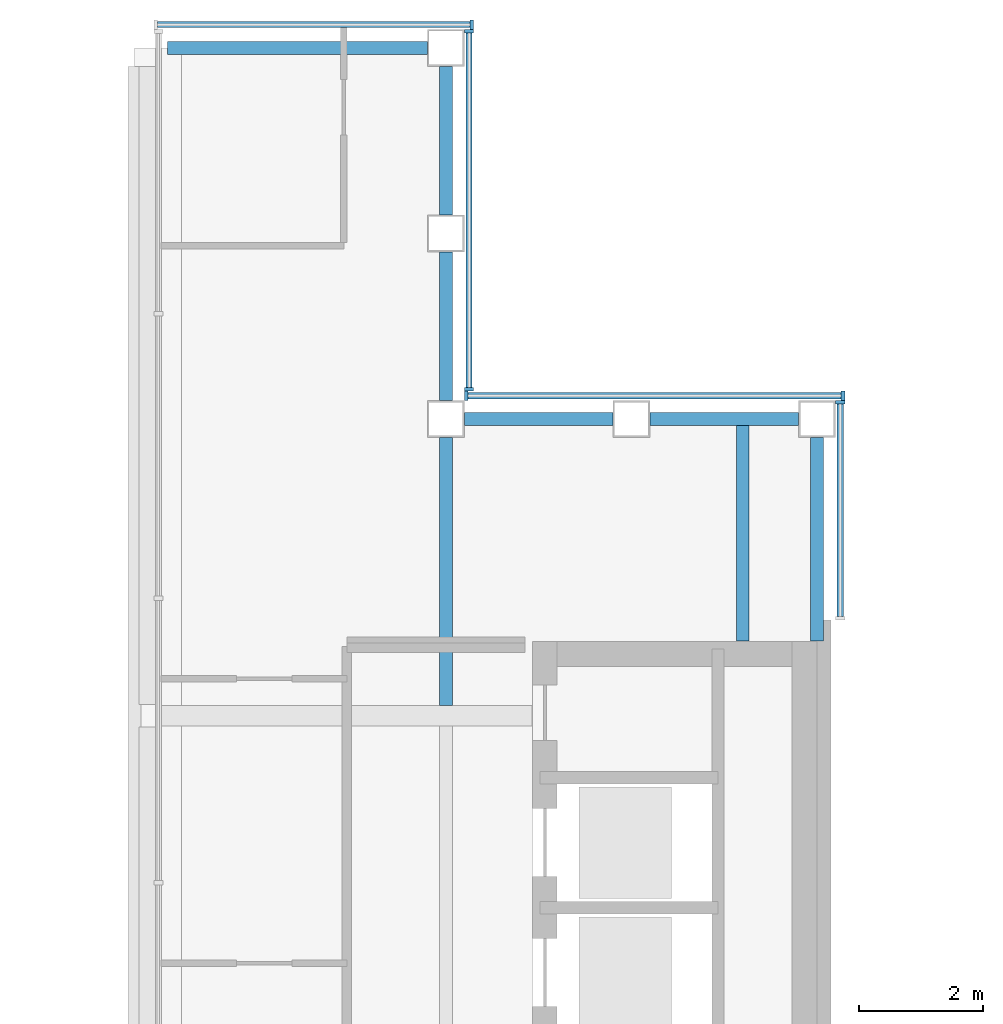
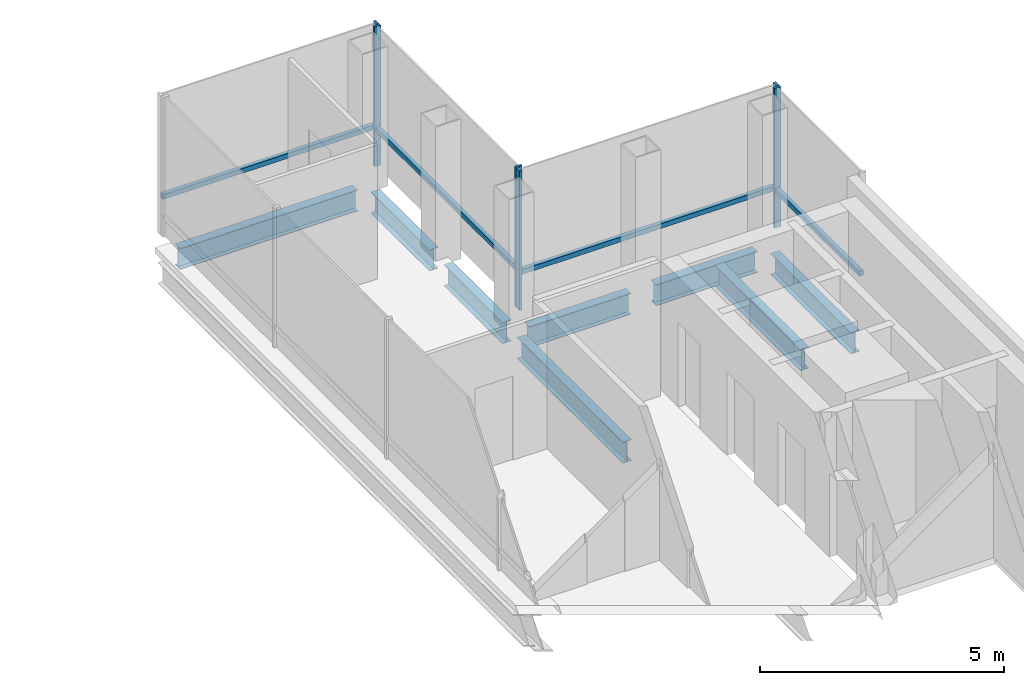
# One storey, part 14 of 21: 10 members, 8 beams, 4 elements without a shape of their own.
"""IFC4 building model written with IfcOpenShell, lengths in metres."""

from ifc_helpers import new_model, si_unit, direction, frame, origin, origin_2d, place, context, subcontext, project, spatial, rectangle, i_section, extrude, material, material_profile, profile_set, type_object, element, aggregate, save


model = new_model("IFC4")

# Units and contexts
model_context = context("Model", 3, precision=1e-05, world=origin(), true_north=direction((0.0, 1.0)))
body_context = subcontext(model_context, "Body", "Model", "MODEL_VIEW")
ifc_project = project(units=[si_unit("LENGTHUNIT", "METRE"), si_unit("AREAUNIT", "SQUARE_METRE"), si_unit("VOLUMEUNIT", "CUBIC_METRE"), si_unit("PLANEANGLEUNIT", "RADIAN"), si_unit("MASSUNIT", "GRAM", prefix="KILO")], contexts=[model_context])

# Site, building, storey
site_placement = place(None, origin())
site = spatial("IfcSite", under=ifc_project, at=site_placement, CompositionType="ELEMENT")
building_placement = place(site_placement, origin())
building = spatial("IfcBuilding", under=site, at=building_placement, Name="Cobrizo Arcos Hotel Tower", CompositionType="ELEMENT")
storey_placement = place(building_placement, frame((0.0, 0.0, 279.5)))
storey = spatial("IfcBuildingStorey", under=building, at=storey_placement, Name="L74", CompositionType="ELEMENT", Elevation=279.5)

# Curtain wall, member
ifc_material_1 = material(Name="Aluminium 6063-T6 anodised bronze", Category="aluminium")
curtain_wall_type = type_object("IfcCurtainWallType", Name="CW-A guest facade", PredefinedType="NOTDEFINED", material=ifc_material_1)
curtain_wall_1_placement = place(storey_placement, origin())
curtain_wall_1 = element("IfcCurtainWall", 1, at=curtain_wall_1_placement, inside=storey, type_object=curtain_wall_type, Name="CW-A L74 N face", PredefinedType="NOTDEFINED")
ifc_material_profile_1 = material_profile(ifc_material_1, rectangle(XDim=0.14990234375, YDim=0.06005859375, at=origin_2d()), Name="CW-A mullion 150x60")
ifc_profile_set_1 = profile_set([ifc_material_profile_1], Name="Aluminium 6063-T6 anodised bronze")
member_type_1 = type_object("IfcMemberType", Name="CW-A mullion 150x60", PredefinedType="MULLION", material=ifc_profile_set_1)
member_1_placement = place(storey_placement, frame((14.820068359375, 20.77490234375, 0.0), z_axis=(0.0, 0.0, 1.0), x_axis=(0.0, 1.0, 0.0)))
member_1 = element("IfcMember", 2, at=member_1_placement, type_object=member_type_1, Name="CW-A mullion 1", PredefinedType="MULLION", context=body_context, shape_type="SweptSolid", body=[
    extrude(rectangle(XDim=0.14990234375, YDim=0.06005859375, at=origin_2d()), origin(), (0.0, 0.0, 1.0), 3.5),
])

curtain_wall_2_placement = place(storey_placement, origin())
curtain_wall_2 = element("IfcCurtainWall", 3, at=curtain_wall_2_placement, inside=storey, type_object=curtain_wall_type, Name="CW-A L74 E face", PredefinedType="NOTDEFINED")
member_2_placement = place(storey_placement, frame((20.77490234375, 14.669921875, 0.0), z_axis=(0.0, 0.0, 1.0), x_axis=(1.0, 0.0, 0.0)))
member_2 = element("IfcMember", 4, at=member_2_placement, type_object=member_type_1, Name="CW-A mullion 2", PredefinedType="MULLION", context=body_context, shape_type="SweptSolid", body=[
    extrude(rectangle(XDim=0.14990234375, YDim=0.06005859375, at=origin_2d()), origin(), (0.0, 0.0, 1.0), 3.5),
])

# Curtain wall, members
curtain_wall_3_placement = place(storey_placement, origin())
curtain_wall_3 = element("IfcCurtainWall", 5, at=curtain_wall_3_placement, inside=storey, type_object=curtain_wall_type, Name="CW-A L74 N face", PredefinedType="NOTDEFINED")
member_3_placement = place(storey_placement, frame((20.820068359375, 14.77490234375, 0.0), z_axis=(0.0, 0.0, 1.0), x_axis=(0.0, 1.0, 0.0)))
member_3 = element("IfcMember", 6, at=member_3_placement, type_object=member_type_1, Name="CW-A mullion 1", PredefinedType="MULLION", context=body_context, shape_type="SweptSolid", body=[
    extrude(rectangle(XDim=0.14990234375, YDim=0.06005859375, at=origin_2d()), origin(), (0.0, 0.0, 1.0), 3.5),
])
member_4_placement = place(storey_placement, frame((14.72998046875, 14.77490234375, 0.0), z_axis=(0.0, 0.0, 1.0), x_axis=(0.0, 1.0, 0.0)))
member_4 = element("IfcMember", 7, at=member_4_placement, type_object=member_type_1, Name="CW-A mullion 2", PredefinedType="MULLION", context=body_context, shape_type="SweptSolid", body=[
    extrude(rectangle(XDim=0.14990234375, YDim=0.06005859375, at=origin_2d()), origin(), (0.0, 0.0, 1.0), 3.5),
])

curtain_wall_4_placement = place(storey_placement, origin())
curtain_wall_4 = element("IfcCurtainWall", 8, at=curtain_wall_4_placement, inside=storey, type_object=curtain_wall_type, Name="CW-A L74 E face", PredefinedType="NOTDEFINED")
member_5_placement = place(storey_placement, frame((14.77490234375, 14.8798828125, 0.0), z_axis=(0.0, 0.0, 1.0), x_axis=(1.0, 0.0, 0.0)))
member_5 = element("IfcMember", 9, at=member_5_placement, type_object=member_type_1, Name="CW-A mullion 1", PredefinedType="MULLION", context=body_context, shape_type="SweptSolid", body=[
    extrude(rectangle(XDim=0.14990234375, YDim=0.06005859375, at=origin_2d()), origin(), (0.0, 0.0, 1.0), 3.5),
])
member_6_placement = place(storey_placement, frame((14.77490234375, 20.669921875, 0.0), z_axis=(0.0, 0.0, 1.0), x_axis=(1.0, 0.0, 0.0)))
member_6 = element("IfcMember", 10, at=member_6_placement, type_object=member_type_1, Name="CW-A mullion 2", PredefinedType="MULLION", context=body_context, shape_type="SweptSolid", body=[
    extrude(rectangle(XDim=0.14990234375, YDim=0.06005859375, at=origin_2d()), origin(), (0.0, 0.0, 1.0), 3.5),
])

# Member
ifc_material_profile_2 = material_profile(ifc_material_1, rectangle(XDim=0.10009765625, YDim=0.1201171875, at=origin_2d()), Name="CW-A transom 120x100")
ifc_profile_set_2 = profile_set([ifc_material_profile_2], Name="Aluminium 6063-T6 anodised bronze")
member_type_2 = type_object("IfcMemberType", Name="CW-A transom 120x100", PredefinedType="USERDEFINED", material=ifc_profile_set_2)
member_7_placement = place(storey_placement, frame((14.7900390625, 20.77490234375, 0.929931640625), z_axis=(-1.0, 0.0, 0.0), x_axis=(0.0, -1.0, 0.0)))
member_7 = element("IfcMember", 11, at=member_7_placement, type_object=member_type_2, Name="CW-A transom 2324", ObjectType="TRANSOM", PredefinedType="USERDEFINED", context=body_context, shape_type="SweptSolid", body=[
    extrude(rectangle(XDim=0.10009765625, YDim=0.1201171875, at=origin_2d()), origin(), (0.0, 0.0, 1.0), 5.05224609375),
])

aggregate(curtain_wall_1, [member_1, member_7])

member_8_placement = place(storey_placement, frame((20.77490234375, 11.2099609375, 0.929931640625), z_axis=(0.0, 1.0, 0.0), x_axis=(-1.0, 0.0, 0.0)))
member_8 = element("IfcMember", 12, at=member_8_placement, type_object=member_type_2, Name="CW-A transom 2338", ObjectType="TRANSOM", PredefinedType="USERDEFINED", context=body_context, shape_type="SweptSolid", body=[
    extrude(rectangle(XDim=0.10009765625, YDim=0.1201171875, at=origin_2d()), origin(), (0.0, 0.0, 1.0), 3.429931640625),
])

aggregate(curtain_wall_2, [member_2, member_8])

member_9_placement = place(storey_placement, frame((20.7900390625, 14.77490234375, 0.929931640625), z_axis=(-1.0, 0.0, 0.0), x_axis=(0.0, -1.0, 0.0)))
member_9 = element("IfcMember", 13, at=member_9_placement, type_object=member_type_2, Name="CW-A transom 2339", ObjectType="TRANSOM", PredefinedType="USERDEFINED", context=body_context, shape_type="SweptSolid", body=[
    extrude(rectangle(XDim=0.10009765625, YDim=0.1201171875, at=origin_2d()), origin(), (0.0, 0.0, 1.0), 6.030029296875),
])

aggregate(curtain_wall_3, [member_3, member_4, member_9])

member_10_placement = place(storey_placement, frame((14.77490234375, 14.909912109375, 0.929931640625), z_axis=(0.0, 1.0, 0.0), x_axis=(-1.0, 0.0, 0.0)))
member_10 = element("IfcMember", 14, at=member_10_placement, type_object=member_type_2, Name="CW-A transom 2340", ObjectType="TRANSOM", PredefinedType="USERDEFINED", context=body_context, shape_type="SweptSolid", body=[
    extrude(rectangle(XDim=0.10009765625, YDim=0.1201171875, at=origin_2d()), origin(), (0.0, 0.0, 1.0), 5.72998046875),
])

aggregate(curtain_wall_4, [member_5, member_6, member_10])

# Beams
ifc_material_2 = material(Name="Steel ASTM A992 Grade 50", Category="steel")
ifc_material_profile_3 = material_profile(ifc_material_2, i_section(OverallWidth=0.209228515625, OverallDepth=0.533447265625, WebThickness=0.01025390625, FlangeThickness=0.015625, at=origin_2d()), Name="W21X62")
ifc_profile_set_3 = profile_set([ifc_material_profile_3], Name="Steel ASTM A992 Grade 50")
beam_type_1 = type_object("IfcBeamType", Name="W21X62 joist", PredefinedType="JOIST", material=ifc_profile_set_3)
beam_1_placement = place(storey_placement, frame((14.39990234375, 9.763916015625, -0.416748046875), z_axis=(0.0, 1.0, 0.0), x_axis=(-1.0, 0.0, 0.0)))
element("IfcBeam", 15, at=beam_1_placement, inside=storey, type_object=beam_type_1, Name="Floor joist J1, L74, no. 010", PredefinedType="JOIST", context=body_context, shape_type="SweptSolid", body=[
    extrude(i_section(OverallWidth=0.209228515625, OverallDepth=0.533447265625, WebThickness=0.01025390625, FlangeThickness=0.015625, at=origin_2d()), origin(), (0.0, 0.0, 1.0), 4.336181640625),
])
beam_2_placement = place(storey_placement, frame((19.199951171875, 10.81005859375, -0.416748046875), z_axis=(0.0, 1.0, 0.0), x_axis=(-1.0, 0.0, 0.0)))
element("IfcBeam", 16, at=beam_2_placement, inside=storey, type_object=beam_type_1, Name="Floor joist J1, L74, no. 012", PredefinedType="JOIST", context=body_context, shape_type="SweptSolid", body=[
    extrude(i_section(OverallWidth=0.209228515625, OverallDepth=0.533447265625, WebThickness=0.01025390625, FlangeThickness=0.015625, at=origin_2d()), origin(), (0.0, 0.0, 1.0), 3.5),
])
ifc_material_profile_4 = material_profile(ifc_material_2, i_section(OverallWidth=0.209228515625, OverallDepth=0.533447265625, WebThickness=0.01025390625, FlangeThickness=0.015625, at=origin_2d()), Name="W21X62")
ifc_profile_set_4 = profile_set([ifc_material_profile_4], Name="Steel ASTM A992 Grade 50")
beam_type_2 = type_object("IfcBeamType", Name="W21X62 spandrel", PredefinedType="SPANDREL", material=ifc_profile_set_4)
beam_3_placement = place(storey_placement, frame((9.89990234375, 20.39990234375, -0.416748046875), z_axis=(1.0, 0.0, 0.0), x_axis=(0.0, 1.0, 0.0)))
element("IfcBeam", 17, at=beam_3_placement, inside=storey, type_object=beam_type_2, Name="Spandrel beam W21X62, L74, no. 014", PredefinedType="SPANDREL", context=body_context, shape_type="SweptSolid", body=[
    extrude(i_section(OverallWidth=0.209228515625, OverallDepth=0.533447265625, WebThickness=0.01025390625, FlangeThickness=0.015625, at=origin_2d()), origin(), (0.0, 0.0, 1.0), 4.2001953125),
])
for number, where, z_axis, x_axis, name in (
    (18, (14.39990234375, 20.10009765625, -0.416748046875), (0.0, -1.0, 0.0), (1.0, 0.0, 0.0), "Spandrel beam W21X62, L74, no. 015"),
    (19, (14.39990234375, 17.10009765625, -0.416748046875), (0.0, -1.0, 0.0), (1.0, 0.0, 0.0), "Spandrel beam W21X62, L74, no. 016"),
    (20, (14.699951171875, 14.39990234375, -0.416748046875), (1.0, 0.0, 0.0), (0.0, 1.0, 0.0), "Spandrel beam W21X62, L74, no. 017"),
    (21, (17.699951171875, 14.39990234375, -0.416748046875), (1.0, 0.0, 0.0), (0.0, 1.0, 0.0), "Spandrel beam W21X62, L74, no. 018"),
):
    element("IfcBeam", number, at=place(storey_placement, frame(where, z_axis=z_axis, x_axis=x_axis)), inside=storey, type_object=beam_type_2, Name=name, PredefinedType="SPANDREL", context=body_context, shape_type="SweptSolid", body=[
        extrude(i_section(OverallWidth=0.209228515625, OverallDepth=0.533447265625, WebThickness=0.01025390625, FlangeThickness=0.015625, at=origin_2d()), origin(), (0.0, 0.0, 1.0), 2.400146484375),
    ])
beam_4_placement = place(storey_placement, frame((20.39990234375, 14.10009765625, -0.416748046875), z_axis=(0.0, -1.0, 0.0), x_axis=(1.0, 0.0, 0.0)))
element("IfcBeam", 22, at=beam_4_placement, inside=storey, type_object=beam_type_2, Name="Spandrel beam W21X62, L74, no. 019", PredefinedType="SPANDREL", context=body_context, shape_type="SweptSolid", body=[
    extrude(i_section(OverallWidth=0.209228515625, OverallDepth=0.533447265625, WebThickness=0.01025390625, FlangeThickness=0.015625, at=origin_2d()), origin(), (0.0, 0.0, 1.0), 3.2900390625),
])

save(model, "model.ifc")
